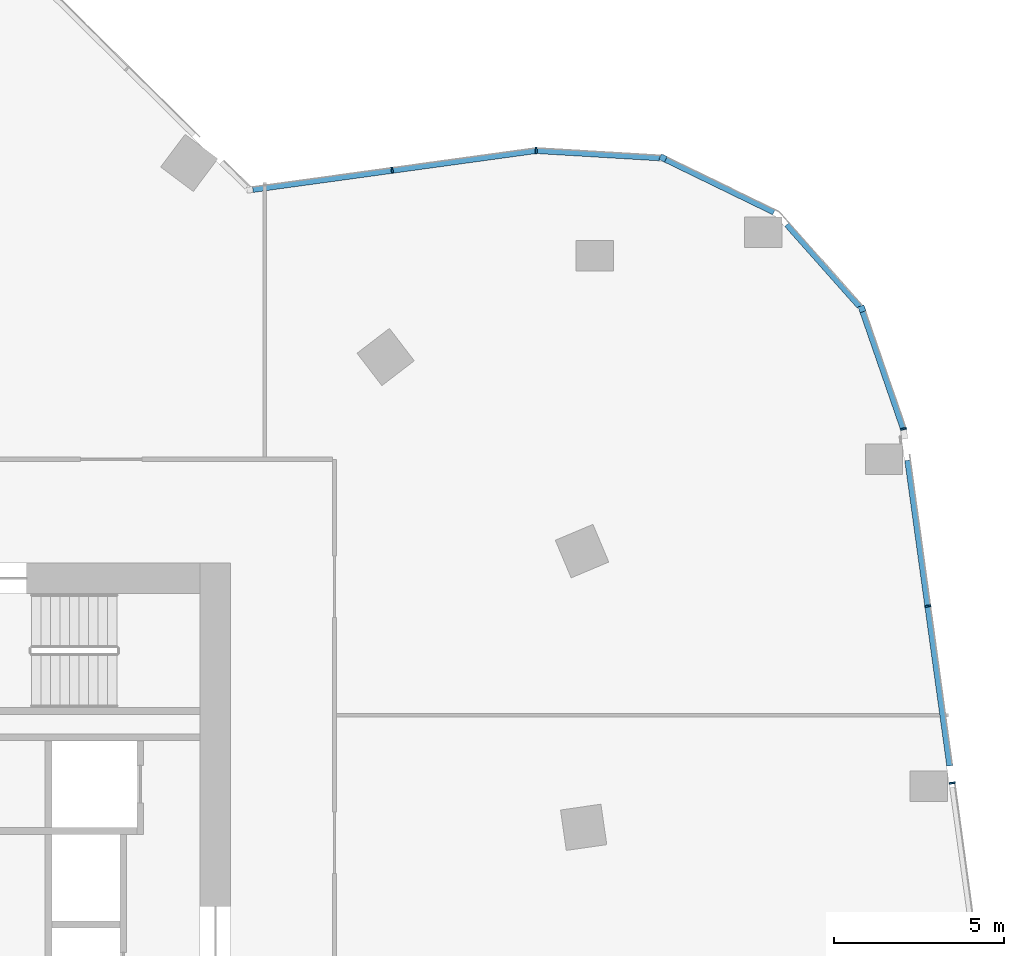
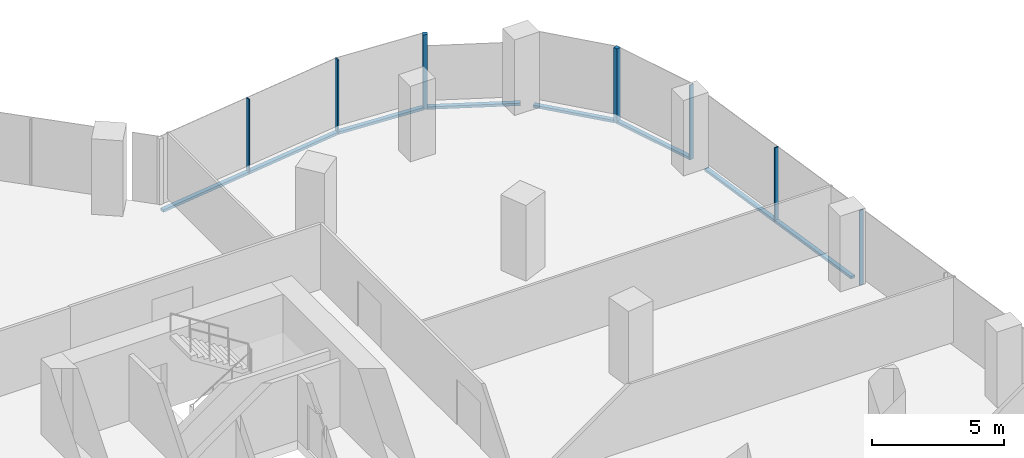
# One storey, part 11 of 27: 13 members, 6 elements without a shape of their own.
"""IFC4 building model written with IfcOpenShell, lengths in metres."""

from ifc_helpers import new_model, si_unit, direction, frame, origin, origin_2d, place, context, subcontext, project, spatial, rectangle, extrude, material, material_profile, profile_set, type_object, element, aggregate, save


model = new_model("IFC4")

# Units and contexts
model_context = context("Model", 3, precision=1e-05, world=origin(), true_north=direction((0.0, 1.0)))
body_context = subcontext(model_context, "Body", "Model", "MODEL_VIEW")
ifc_project = project(units=[si_unit("LENGTHUNIT", "METRE"), si_unit("AREAUNIT", "SQUARE_METRE"), si_unit("VOLUMEUNIT", "CUBIC_METRE"), si_unit("PLANEANGLEUNIT", "RADIAN"), si_unit("MASSUNIT", "GRAM", prefix="KILO")], contexts=[model_context])

# Site, building, storey
site_placement = place(None, origin())
site = spatial("IfcSite", under=ifc_project, at=site_placement, CompositionType="ELEMENT")
building_placement = place(site_placement, origin())
building = spatial("IfcBuilding", under=site, at=building_placement, Name="Orlundy Tower", CompositionType="ELEMENT")
storey_placement = place(building_placement, frame((0.0, 0.0, 202.60009765625)))
storey = spatial("IfcBuildingStorey", under=building, at=storey_placement, Name="L53", CompositionType="ELEMENT", Elevation=202.60009765625)

# Curtain wall, member
ifc_material_1 = material(Name="Aluminium bronze anodised", Category="aluminium")
curtain_wall_type = type_object("IfcCurtainWallType", Name="CW1 wall", PredefinedType="NOTDEFINED", material=ifc_material_1)
curtain_wall_1_placement = place(storey_placement, origin())
curtain_wall_1 = element("IfcCurtainWall", 1, at=curtain_wall_1_placement, inside=storey, type_object=curtain_wall_type, Name="CW1 run 08", PredefinedType="NOTDEFINED")
ifc_material_2 = material(Name="Aluminium bronze anodised", Category="aluminium")
ifc_material_profile_1 = material_profile(ifc_material_2, rectangle(XDim=0.179931640625, YDim=0.179931640625, at=origin_2d()), Name="CW1 corner post 180x180")
ifc_profile_set_1 = profile_set([ifc_material_profile_1], Name="Aluminium bronze anodised")
member_type_1 = type_object("IfcMemberType", Name="CW1 corner post 180x180", PredefinedType="MULLION", material=ifc_profile_set_1)
member_1_placement = place(storey_placement, frame((31.708251953125, 23.90673828125, -0.420166015625), z_axis=(0.0, 0.0, 1.0), x_axis=(0.43725937423, 0.89933544334, 0.0)))
member_1 = element("IfcMember", 2, at=member_1_placement, type_object=member_type_1, Name="CW1 mullion 29", PredefinedType="MULLION", context=body_context, shape_type="SweptSolid", body=[
    extrude(rectangle(XDim=0.179931640625, YDim=0.179931640625, at=origin_2d()), origin(), (0.0, 0.0, 1.0), 3.469970703125),
])

curtain_wall_2_placement = place(storey_placement, origin())
curtain_wall_2 = element("IfcCurtainWall", 3, at=curtain_wall_2_placement, inside=storey, type_object=curtain_wall_type, Name="CW1 run 010", PredefinedType="NOTDEFINED")
member_2_placement = place(storey_placement, frame((37.55810546875, 19.471435546875, -0.420166015625), z_axis=(0.0, 0.0, 1.0), x_axis=(0.945034174317, 0.32697157273, 0.0)))
member_2 = element("IfcMember", 4, at=member_2_placement, type_object=member_type_1, Name="CW1 mullion 31", PredefinedType="MULLION", context=body_context, shape_type="SweptSolid", body=[
    extrude(rectangle(XDim=0.179931640625, YDim=0.179931640625, at=origin_2d()), origin(), (0.0, 0.0, 1.0), 3.469970703125),
])

curtain_wall_3_placement = place(storey_placement, origin())
curtain_wall_3 = element("IfcCurtainWall", 5, at=curtain_wall_3_placement, inside=storey, type_object=curtain_wall_type, Name="CW1 run 06", PredefinedType="NOTDEFINED")
ifc_material_3 = material(Name="Aluminium bronze anodised", Category="aluminium")
ifc_material_profile_2 = material_profile(ifc_material_3, rectangle(XDim=0.179931640625, YDim=0.050048828125, at=origin_2d()), Name="CW1 mullion 50x180")
ifc_profile_set_2 = profile_set([ifc_material_profile_2], Name="Aluminium bronze anodised")
member_type_2 = type_object("IfcMemberType", Name="CW1 mullion 50x180", PredefinedType="MULLION", material=ifc_profile_set_2)
member_3_placement = place(storey_placement, frame((23.746337890625, 23.546142578125, -0.420166015625), z_axis=(0.0, 0.0, 1.0), x_axis=(-0.136185270904, 0.990683386349, 0.0)))
member_3 = element("IfcMember", 6, at=member_3_placement, type_object=member_type_2, Name="CW1 mullion 27", PredefinedType="MULLION", context=body_context, shape_type="SweptSolid", body=[
    extrude(rectangle(XDim=0.179931640625, YDim=0.050048828125, at=origin_2d()), origin(), (0.0, 0.0, 1.0), 3.469970703125),
])

curtain_wall_4_placement = place(storey_placement, origin())
curtain_wall_4 = element("IfcCurtainWall", 7, at=curtain_wall_4_placement, inside=storey, type_object=curtain_wall_type, Name="CW1 run 07", PredefinedType="NOTDEFINED")
member_4_placement = place(storey_placement, frame((27.9814453125, 24.12841796875, -0.420166015625), z_axis=(0.0, 0.0, 1.0), x_axis=(-0.038600530581, 0.9992547218, 0.0)))
member_4 = element("IfcMember", 8, at=member_4_placement, type_object=member_type_2, Name="CW1 mullion 28", PredefinedType="MULLION", context=body_context, shape_type="SweptSolid", body=[
    extrude(rectangle(XDim=0.179931640625, YDim=0.050048828125, at=origin_2d()), origin(), (0.0, 0.0, 1.0), 3.469970703125),
])

# Curtain wall, members
curtain_wall_5_placement = place(storey_placement, origin())
curtain_wall_5 = element("IfcCurtainWall", 9, at=curtain_wall_5_placement, inside=storey, type_object=curtain_wall_type, Name="CW1 run 011", PredefinedType="NOTDEFINED")
member_5_placement = place(storey_placement, frame((38.779052734375, 15.943115234375, -0.420166015625), z_axis=(0.0, 0.0, 1.0), x_axis=(0.972536597982, 0.232750006628, 0.0)))
member_5 = element("IfcMember", 10, at=member_5_placement, type_object=member_type_2, Name="CW1 mullion 32", PredefinedType="MULLION", context=body_context, shape_type="SweptSolid", body=[
    extrude(rectangle(XDim=0.179931640625, YDim=0.050048828125, at=origin_2d()), origin(), (0.0, 0.0, 1.0), 3.469970703125),
])
member_6_placement = place(storey_placement, frame((39.49560546875, 10.733154296875, -0.420166015625), z_axis=(0.0, 0.0, 1.0), x_axis=(0.990669519619, 0.13628610677, 0.0)))
member_6 = element("IfcMember", 11, at=member_6_placement, type_object=member_type_2, Name="CW1 mullion 33", PredefinedType="MULLION", context=body_context, shape_type="SweptSolid", body=[
    extrude(rectangle(XDim=0.179931640625, YDim=0.050048828125, at=origin_2d()), origin(), (0.0, 0.0, 1.0), 3.469970703125),
])
member_7_placement = place(storey_placement, frame((40.211181640625, 5.5322265625, -0.420166015625), z_axis=(0.0, 0.0, 1.0), x_axis=(0.990669519619, 0.13628610677, 0.0)))
member_7 = element("IfcMember", 12, at=member_7_placement, type_object=member_type_2, Name="CW1 mullion 34", PredefinedType="MULLION", context=body_context, shape_type="SweptSolid", body=[
    extrude(rectangle(XDim=0.179931640625, YDim=0.050048828125, at=origin_2d()), origin(), (0.0, 0.0, 1.0), 3.469970703125),
])

# Member
ifc_material_4 = material(Name="Aluminium bronze anodised", Category="aluminium")
ifc_material_profile_3 = material_profile(ifc_material_4, rectangle(XDim=0.179931640625, YDim=0.1201171875, at=origin_2d()), Name="CW1 transom 180x120")
ifc_profile_set_3 = profile_set([ifc_material_profile_3], Name="Aluminium bronze anodised")
member_type_3 = type_object("IfcMemberType", Name="CW1 transom 180x120", PredefinedType="USERDEFINED", material=ifc_profile_set_3)
member_8_placement = place(storey_placement, frame((19.65283203125, 22.9833984375, -0.360107421875), z_axis=(0.990681394628, 0.136199758946, 0.0), x_axis=(-0.136199758946, 0.990681394628, 0.0)))
member_8 = element("IfcMember", 13, at=member_8_placement, type_object=member_type_3, Name="CW1 transom", ObjectType="TRANSOM", PredefinedType="USERDEFINED", context=body_context, shape_type="SweptSolid", body=[
    extrude(rectangle(XDim=0.179931640625, YDim=0.1201171875, at=origin_2d()), origin(), (0.0, 0.0, 1.0), 8.3818359375),
])

aggregate(curtain_wall_3, [member_3, member_8])

member_9_placement = place(storey_placement, frame((28.006591796875, 24.126953125, -0.360107421875), z_axis=(0.998236396732, -0.059364098912, 0.0), x_axis=(0.059364098912, 0.998236396732, 0.0)))
member_9 = element("IfcMember", 14, at=member_9_placement, type_object=member_type_3, Name="CW1 transom", ObjectType="TRANSOM", PredefinedType="USERDEFINED", context=body_context, shape_type="SweptSolid", body=[
    extrude(rectangle(XDim=0.179931640625, YDim=0.1201171875, at=origin_2d()), origin(), (0.0, 0.0, 1.0), 3.61083984375),
])

aggregate(curtain_wall_4, [member_4, member_9])

member_10_placement = place(storey_placement, frame((31.7890625, 23.867431640625, -0.360107421875), z_axis=(0.899349404958, -0.437230657435, 0.0), x_axis=(0.437230657435, 0.899349404958, 0.0)))
member_10 = element("IfcMember", 15, at=member_10_placement, type_object=member_type_3, Name="CW1 transom", ObjectType="TRANSOM", PredefinedType="USERDEFINED", context=body_context, shape_type="SweptSolid", body=[
    extrude(rectangle(XDim=0.179931640625, YDim=0.1201171875, at=origin_2d()), origin(), (0.0, 0.0, 1.0), 3.541259765625),
])

aggregate(curtain_wall_1, [member_1, member_10])

# Curtain wall, member
curtain_wall_6_placement = place(storey_placement, origin())
curtain_wall_6 = element("IfcCurtainWall", 16, at=curtain_wall_6_placement, inside=storey, type_object=curtain_wall_type, Name="CW1 run 09", PredefinedType="NOTDEFINED")
member_11_placement = place(storey_placement, frame((35.35595703125, 21.952880859375, -0.360107421875), z_axis=(0.663780171521, -0.747927726385, 0.0), x_axis=(0.747927726385, 0.663780171521, 0.0)))
member_11 = element("IfcMember", 17, at=member_11_placement, type_object=member_type_3, Name="CW1 transom", ObjectType="TRANSOM", PredefinedType="USERDEFINED", context=body_context, shape_type="SweptSolid", body=[
    extrude(rectangle(XDim=0.179931640625, YDim=0.1201171875, at=origin_2d()), origin(), (0.0, 0.0, 1.0), 3.220458984375),
])
aggregate(curtain_wall_6, [member_11])

# Member
member_12_placement = place(storey_placement, frame((37.587646484375, 19.38623046875, -0.360107421875), z_axis=(0.326976148549, -0.945032591121, 0.0), x_axis=(0.945032591121, 0.326976148549, 0.0)))
member_12 = element("IfcMember", 18, at=member_12_placement, type_object=member_type_3, Name="CW1 transom", ObjectType="TRANSOM", PredefinedType="USERDEFINED", context=body_context, shape_type="SweptSolid", body=[
    extrude(rectangle(XDim=0.179931640625, YDim=0.1201171875, at=origin_2d()), origin(), (0.0, 0.0, 1.0), 3.618408203125),
])

aggregate(curtain_wall_2, [member_2, member_12])

member_13_placement = place(storey_placement, frame((38.906005859375, 15.01953125, -0.360107421875), z_axis=(0.136288378203, -0.990669207136, 0.0), x_axis=(0.990669207136, 0.136288378203, 0.0)))
member_13 = element("IfcMember", 19, at=member_13_placement, type_object=member_type_3, Name="CW1 transom", ObjectType="TRANSOM", PredefinedType="USERDEFINED", context=body_context, shape_type="SweptSolid", body=[
    extrude(rectangle(XDim=0.179931640625, YDim=0.1201171875, at=origin_2d()), origin(), (0.0, 0.0, 1.0), 9.06591796875),
])

aggregate(curtain_wall_5, [member_5, member_6, member_7, member_13])

save(model, "model.ifc")
